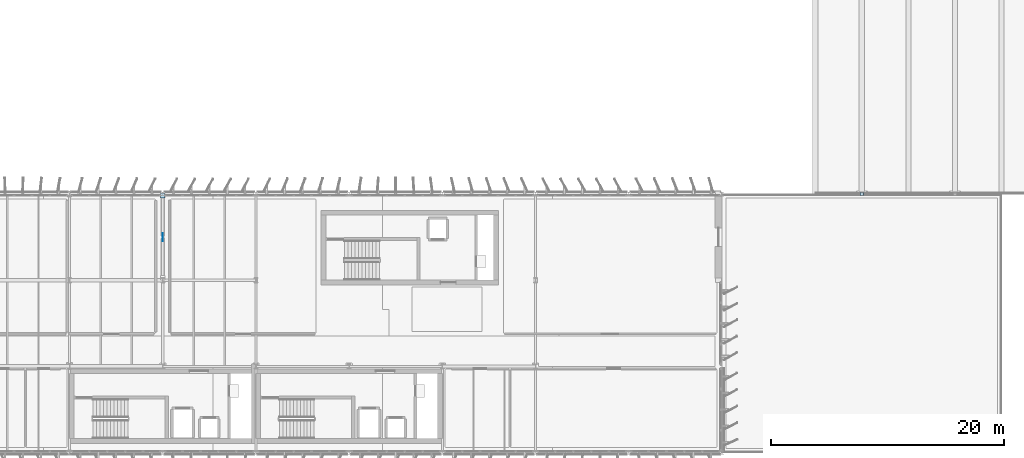
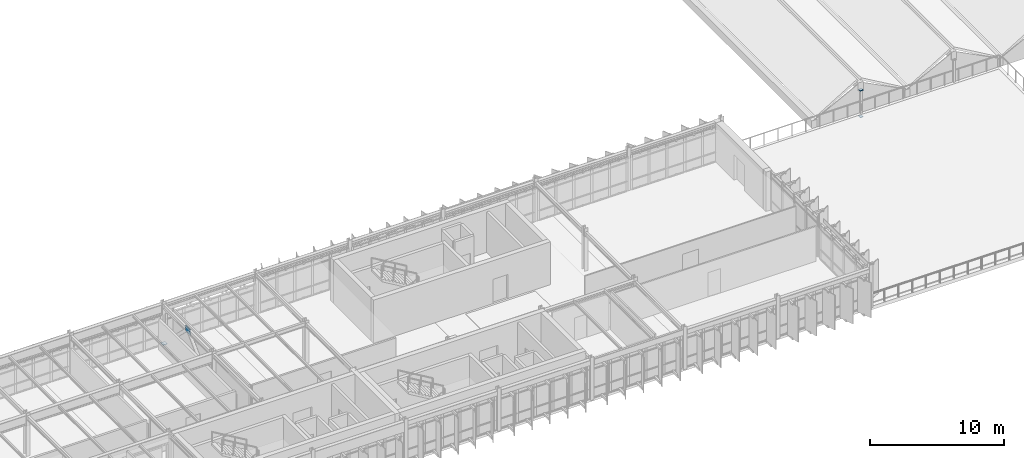
# One storey, part 25 of 35: 4 plates.
"""IFC4 building model written with IfcOpenShell, lengths in metres."""

from ifc_helpers import new_model, si_unit, direction, frame, origin, origin_2d, place, context, subcontext, project, spatial, rectangle, extrude, material, layer, layer_set, type_object, element, save


model = new_model("IFC4")

# Units and contexts
model_context = context("Model", 3, precision=1e-05, world=origin(), true_north=direction((0.0, 1.0)))
body_context = subcontext(model_context, "Body", "Model", "MODEL_VIEW")
ifc_project = project(units=[si_unit("LENGTHUNIT", "METRE"), si_unit("AREAUNIT", "SQUARE_METRE"), si_unit("VOLUMEUNIT", "CUBIC_METRE"), si_unit("PLANEANGLEUNIT", "RADIAN"), si_unit("MASSUNIT", "GRAM", prefix="KILO")], contexts=[model_context])

# Site, building, storey
site_placement = place(None, origin())
site = spatial("IfcSite", under=ifc_project, at=site_placement, CompositionType="ELEMENT")
building_placement = place(site_placement, origin())
building = spatial("IfcBuilding", under=site, at=building_placement, Name="Valkorina Park Police Headquarters", CompositionType="ELEMENT")
storey_placement = place(building_placement, frame((0.0, 0.0, 27.199951171875)))
storey = spatial("IfcBuildingStorey", under=building, at=storey_placement, Name="L07", CompositionType="ELEMENT", Elevation=27.199951171875)

# Plates
ifc_material = material(Name="Steel S355", Category="steel")
ifc_layer_1 = layer(ifc_material, 0.02001953125)
ifc_layer_set_1 = layer_set([ifc_layer_1], Name="Steel S355")
plate_type_1 = type_object("IfcPlateType", Name="PL-ENDCAP-20", PredefinedType="USERDEFINED", material=ifc_layer_set_1)
for number, where, z_axis, x_axis, name in (
    (1, (84.800048828125, 59.199951171875, -0.35986328125), (0.0, 0.0, 1.0), (1.0, 0.0, 0.0), "V2 Gable Strut Base End Cap Plate 59"),
    (2, (84.800048828125, 59.199951171875, 2.053955078125), (0.0, 0.0, 1.0), (1.0, 0.0, 0.0), "V2 Gable Strut Top End Cap Plate 60"),
):
    element("IfcPlate", number, at=place(storey_placement, frame(where, z_axis=z_axis, x_axis=x_axis)), inside=storey, type_object=plate_type_1, Name=name, ObjectType="END CAP PLATE", PredefinedType="USERDEFINED", context=body_context, shape_type="SweptSolid", body=[
        extrude(rectangle(XDim=0.280029296875, YDim=0.280029296875, at=origin_2d()), origin(), (0.0, 0.0, 1.0), 0.02001953125),
    ])
plate_1_placement = place(storey_placement, frame((24.800048828125, 59.050048828125, 0.090087890625), z_axis=(0.0, 0.0, 1.0), x_axis=(1.0, 0.0, 0.0)))
element("IfcPlate", 3, at=plate_1_placement, inside=storey, type_object=plate_type_1, Name="Brace Base End Cap Plate 215", ObjectType="END CAP PLATE", PredefinedType="USERDEFINED", context=body_context, shape_type="SweptSolid", body=[
    extrude(rectangle(XDim=0.3798828125, YDim=0.3798828125, at=origin_2d()), origin(), (0.0, 0.0, 1.0), 0.02001953125),
])
ifc_layer_2 = layer(ifc_material, 0.01611328125)
ifc_layer_set_2 = layer_set([ifc_layer_2], Name="Steel S355")
plate_type_2 = type_object("IfcPlateType", Name="PL-GUSSET-16", PredefinedType="USERDEFINED", material=ifc_layer_set_2)
plate_2_placement = place(storey_placement, frame((24.800048828125, 55.5, 3.18505859375), z_axis=(0.0, 0.0, 1.0), x_axis=(1.0, 0.0, 0.0)))
element("IfcPlate", 4, at=plate_2_placement, inside=storey, type_object=plate_type_2, Name="Chevron Apex Gusset Plate CBF-14 216", ObjectType="GUSSET PLATE", PredefinedType="USERDEFINED", context=body_context, shape_type="SweptSolid", body=[
    extrude(rectangle(XDim=0.01611328125, YDim=0.699951171875, at=origin_2d()), origin(), (0.0, 0.0, 1.0), 0.550048828125),
])

save(model, "model.ifc")
